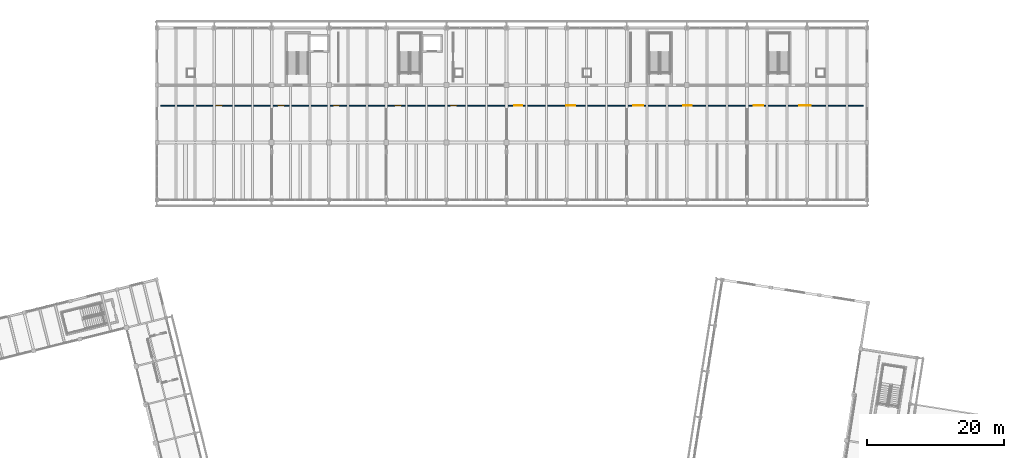
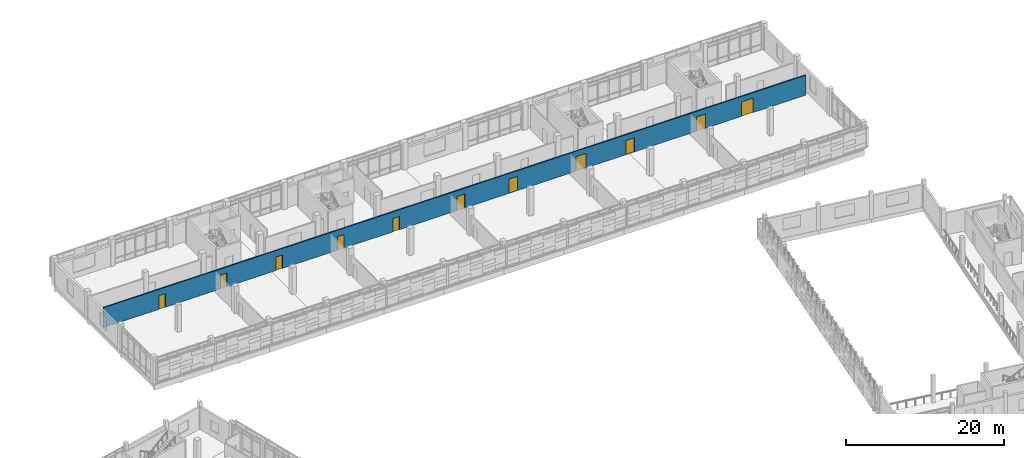
# One storey, part 112 of 137: 11 doors, 1 wall, 11 openings.
"""IFC4 building model written with IfcOpenShell, lengths in metres."""

from ifc_helpers import new_model, si_unit, direction, frame, frame_2d, origin, place, context, subcontext, project, spatial, rectangle, extrude, material, layer, layer_set, type_object, element, fill, save


model = new_model("IFC4")

# Units and contexts
model_context = context("Model", 3, precision=1e-05, world=origin(), true_north=direction((0.0, 1.0)))
body_context = subcontext(model_context, "Body", "Model", "MODEL_VIEW")
ifc_project = project(units=[si_unit("LENGTHUNIT", "METRE"), si_unit("AREAUNIT", "SQUARE_METRE"), si_unit("VOLUMEUNIT", "CUBIC_METRE"), si_unit("PLANEANGLEUNIT", "RADIAN"), si_unit("MASSUNIT", "GRAM", prefix="KILO")], contexts=[model_context])

# Site, building, storey
site_placement = place(None, origin())
site = spatial("IfcSite", under=ifc_project, at=site_placement, CompositionType="ELEMENT")
building_placement = place(site_placement, origin())
building = spatial("IfcBuilding", under=site, at=building_placement, Name="Cinderway Yard Community Centre", CompositionType="ELEMENT")
storey_placement = place(building_placement, frame((0.0, 0.0, 4.800048828125)))
storey = spatial("IfcBuildingStorey", under=building, at=storey_placement, Name="L01", CompositionType="ELEMENT", Elevation=4.800048828125)

# Wall, openings, doors
ifc_material_1 = material(Name="Brick Masonry", Category="masonry")
ifc_layer = layer(ifc_material_1, 0.179931640625, Name="Brick Masonry")
ifc_layer_set = layer_set([ifc_layer], Name="Brick Masonry")
wall_type = type_object("IfcWallType", Name="INT-WAL-PRT180", PredefinedType="PARTITIONING", material=ifc_layer_set)
wall_placement = place(storey_placement, frame((42.14990234375, 103.800048828125, 0.0), z_axis=(0.0, 0.0, 1.0), x_axis=(1.0, 0.0, 0.0)))
wall = element("IfcWall", 1, at=wall_placement, inside=storey, type_object=wall_type, Name="V4 L01 South Corridor Spine INT-PRT-L01-0291", PredefinedType="PARTITIONING", context=body_context, shape_type="SweptSolid", body=[
    extrude(rectangle(XDim=102.900146484375, YDim=0.179931640625, at=frame_2d((51.4501953125, 0.0))), origin(), (0.0, 0.0, 1.0), 3.093994140625),
])
opening_1_placement = place(wall_placement, frame((8.0849609375, 0.0, 0.0)))
opening_1 = element("IfcOpeningElement", 2, at=opening_1_placement, cuts=wall, Name="Opening D-06", PredefinedType="OPENING", context=body_context, shape_type="SweptSolid", body=[
    extrude(rectangle(XDim=0.97998046875, YDim=2.1201171875, at=frame_2d((0.489990234375, 1.06005859375))), frame((0.0, 0.099853515625, 0.0), z_axis=(0.0, -1.0, 0.0), x_axis=(1.0, 0.0, 0.0)), (0.0, 0.0, 1.0), 0.199951171875),
])
opening_2_placement = place(wall_placement, frame((17.125, 0.0, 0.0)))
opening_2 = element("IfcOpeningElement", 3, at=opening_2_placement, cuts=wall, Name="Opening D-07", PredefinedType="OPENING", context=body_context, shape_type="SweptSolid", body=[
    extrude(rectangle(XDim=0.949951171875, YDim=2.1201171875, at=frame_2d((0.47509765625, 1.06005859375))), frame((0.0, 0.099853515625, 0.0), z_axis=(0.0, -1.0, 0.0), x_axis=(1.0, 0.0, 0.0)), (0.0, 0.0, 1.0), 0.199951171875),
])
opening_3_placement = place(wall_placement, frame((25.264892578125, 0.0, 0.0)))
opening_3 = element("IfcOpeningElement", 4, at=opening_3_placement, cuts=wall, Name="Opening D-08", PredefinedType="OPENING", context=body_context, shape_type="SweptSolid", body=[
    extrude(rectangle(XDim=0.919921875, YDim=2.10009765625, at=frame_2d((0.4599609375, 1.050048828125))), frame((0.0, 0.099853515625, 0.0), z_axis=(0.0, -1.0, 0.0), x_axis=(1.0, 0.0, 0.0)), (0.0, 0.0, 1.0), 0.199951171875),
])
opening_4_placement = place(wall_placement, frame((34.27001953125, 0.0, 0.0)))
opening_4 = element("IfcOpeningElement", 5, at=opening_4_placement, cuts=wall, Name="Opening D-09", PredefinedType="OPENING", context=body_context, shape_type="SweptSolid", body=[
    extrude(rectangle(XDim=0.9599609375, YDim=2.080078125, at=frame_2d((0.47998046875, 1.0400390625))), frame((0.0, 0.099853515625, 0.0), z_axis=(0.0, -1.0, 0.0), x_axis=(1.0, 0.0, 0.0)), (0.0, 0.0, 1.0), 0.199951171875),
])
opening_5_placement = place(wall_placement, frame((42.425048828125, 0.0, 0.0)))
opening_5 = element("IfcOpeningElement", 6, at=opening_5_placement, cuts=wall, Name="Opening D-10", PredefinedType="OPENING", context=body_context, shape_type="SweptSolid", body=[
    extrude(rectangle(XDim=0.89990234375, YDim=2.06005859375, at=frame_2d((0.449951171875, 1.030029296875))), frame((0.0, 0.099853515625, 0.0), z_axis=(0.0, -1.0, 0.0), x_axis=(1.0, 0.0, 0.0)), (0.0, 0.0, 1.0), 0.199951171875),
])
opening_6_placement = place(wall_placement, frame((51.760009765625, 0.0, 0.0)))
opening_6 = element("IfcOpeningElement", 7, at=opening_6_placement, cuts=wall, Name="Opening D-11", PredefinedType="OPENING", context=body_context, shape_type="SweptSolid", body=[
    extrude(rectangle(XDim=1.179931640625, YDim=2.179931640625, at=frame_2d((0.58984375, 1.08984375))), frame((0.0, 0.099853515625, 0.0), z_axis=(0.0, -1.0, 0.0), x_axis=(1.0, 0.0, 0.0)), (0.0, 0.0, 1.0), 0.199951171875),
])
opening_7_placement = place(wall_placement, frame((59.375, 0.0, 0.0)))
opening_7 = element("IfcOpeningElement", 8, at=opening_7_placement, cuts=wall, Name="Opening D-12", PredefinedType="OPENING", context=body_context, shape_type="SweptSolid", body=[
    extrude(rectangle(XDim=1.300048828125, YDim=2.199951171875, at=frame_2d((0.64990234375, 1.10009765625))), frame((0.0, 0.099853515625, 0.0), z_axis=(0.0, -1.0, 0.0), x_axis=(1.0, 0.0, 0.0)), (0.0, 0.0, 1.0), 0.199951171875),
])
opening_8_placement = place(wall_placement, frame((69.199951171875, 0.0, 0.0)))
opening_8 = element("IfcOpeningElement", 9, at=opening_8_placement, cuts=wall, Name="Opening D-13", PredefinedType="OPENING", context=body_context, shape_type="SweptSolid", body=[
    extrude(rectangle(XDim=1.5, YDim=2.25, at=frame_2d((0.75, 1.125))), frame((0.0, 0.099853515625, 0.0), z_axis=(0.0, -1.0, 0.0), x_axis=(1.0, 0.0, 0.0)), (0.0, 0.0, 1.0), 0.199951171875),
])
opening_9_placement = place(wall_placement, frame((76.554931640625, 0.0, 0.0)))
opening_9 = element("IfcOpeningElement", 10, at=opening_9_placement, cuts=wall, Name="Opening D-14", PredefinedType="OPENING", context=body_context, shape_type="SweptSolid", body=[
    extrude(rectangle(XDim=1.239990234375, YDim=2.199951171875, at=frame_2d((0.6201171875, 1.10009765625))), frame((0.0, 0.099853515625, 0.0), z_axis=(0.0, -1.0, 0.0), x_axis=(1.0, 0.0, 0.0)), (0.0, 0.0, 1.0), 0.199951171875),
])
opening_10_placement = place(wall_placement, frame((86.8701171875, 0.0, 0.0)))
opening_10 = element("IfcOpeningElement", 11, at=opening_10_placement, cuts=wall, Name="Opening D-15", PredefinedType="OPENING", context=body_context, shape_type="SweptSolid", body=[
    extrude(rectangle(XDim=1.360107421875, YDim=2.219970703125, at=frame_2d((0.68017578125, 1.10986328125))), frame((0.0, 0.099853515625, 0.0), z_axis=(0.0, -1.0, 0.0), x_axis=(1.0, 0.0, 0.0)), (0.0, 0.0, 1.0), 0.199951171875),
])
opening_11_placement = place(wall_placement, frame((93.485107421875, 0.0, 0.0)))
opening_11 = element("IfcOpeningElement", 12, at=opening_11_placement, cuts=wall, Name="Opening D-16", PredefinedType="OPENING", context=body_context, shape_type="SweptSolid", body=[
    extrude(rectangle(XDim=1.679931640625, YDim=2.260009765625, at=frame_2d((0.83984375, 1.1298828125))), frame((0.0, 0.099853515625, 0.0), z_axis=(0.0, -1.0, 0.0), x_axis=(1.0, 0.0, 0.0)), (0.0, 0.0, 1.0), 0.199951171875),
])
ifc_material_2 = material(Name="Hardwood Timber", Category="wood")
door_type_1 = type_object("IfcDoorType", Name="INT-DOR-LIB168", OperationType="DOUBLE_DOOR_SINGLE_SWING", PredefinedType="DOOR", material=ifc_material_2)
door_1_placement = place(opening_11_placement, origin())
door_1 = element("IfcDoor", 13, at=door_1_placement, inside=storey, type_object=door_type_1, Name="Room door INT-DOR-L01-0179", OperationType="DOUBLE_DOOR_SINGLE_SWING", OverallHeight=2.260009765625, OverallWidth=1.679931640625, PredefinedType="DOOR", context=body_context, shape_type="SweptSolid", body=[
    extrude(rectangle(XDim=1.679931640625, YDim=2.260009765625, at=frame_2d((0.83984375, 1.1298828125))), frame((0.0, 0.02490234375, 0.0), z_axis=(0.0, -1.0, 0.0), x_axis=(1.0, 0.0, 0.0)), (0.0, 0.0, 1.0), 0.050048828125),
])
fill(opening_11, door_1)
door_type_2 = type_object("IfcDoorType", Name="INT-DOR-OFF092", OperationType="NOTDEFINED", PredefinedType="DOOR", material=ifc_material_2)
door_2_placement = place(opening_3_placement, origin())
door_2 = element("IfcDoor", 14, at=door_2_placement, inside=storey, type_object=door_type_2, Name="Room door INT-DOR-L01-0171", OperationType="SINGLE_SWING_RIGHT", OverallHeight=2.10009765625, OverallWidth=0.919921875, PredefinedType="DOOR", context=body_context, shape_type="SweptSolid", body=[
    extrude(rectangle(XDim=0.919921875, YDim=2.10009765625, at=frame_2d((0.4599609375, 1.050048828125))), frame((0.0, 0.02490234375, 0.0), z_axis=(0.0, -1.0, 0.0), x_axis=(1.0, 0.0, 0.0)), (0.0, 0.0, 1.0), 0.050048828125),
])
fill(opening_3, door_2)
door_type_3 = type_object("IfcDoorType", Name="INT-DOR-OFF095", OperationType="NOTDEFINED", PredefinedType="DOOR", material=ifc_material_2)
door_3_placement = place(opening_2_placement, origin())
door_3 = element("IfcDoor", 15, at=door_3_placement, inside=storey, type_object=door_type_3, Name="Room door INT-DOR-L01-0170", OperationType="SINGLE_SWING_LEFT", OverallHeight=2.1201171875, OverallWidth=0.949951171875, PredefinedType="DOOR", context=body_context, shape_type="SweptSolid", body=[
    extrude(rectangle(XDim=0.949951171875, YDim=2.1201171875, at=frame_2d((0.47509765625, 1.06005859375))), frame((0.0, 0.02490234375, 0.0), z_axis=(0.0, -1.0, 0.0), x_axis=(1.0, 0.0, 0.0)), (0.0, 0.0, 1.0), 0.050048828125),
])
fill(opening_2, door_3)
door_type_4 = type_object("IfcDoorType", Name="INT-DOR-OFF098", OperationType="NOTDEFINED", PredefinedType="DOOR", material=ifc_material_2)
door_4_placement = place(opening_1_placement, origin())
door_4 = element("IfcDoor", 16, at=door_4_placement, inside=storey, type_object=door_type_4, Name="Room door INT-DOR-L01-0169", OperationType="SINGLE_SWING_RIGHT", OverallHeight=2.1201171875, OverallWidth=0.97998046875, PredefinedType="DOOR", context=body_context, shape_type="SweptSolid", body=[
    extrude(rectangle(XDim=0.97998046875, YDim=2.1201171875, at=frame_2d((0.489990234375, 1.06005859375))), frame((0.0, 0.02490234375, 0.0), z_axis=(0.0, -1.0, 0.0), x_axis=(1.0, 0.0, 0.0)), (0.0, 0.0, 1.0), 0.050048828125),
])
fill(opening_1, door_4)
ifc_material_3 = material(Name="Painted Galvanised Steel", Category="steel")
door_type_5 = type_object("IfcDoorType", Name="INT-DOR-PLT130", OperationType="NOTDEFINED", PredefinedType="DOOR", material=ifc_material_3)
door_5_placement = place(opening_7_placement, origin())
door_5 = element("IfcDoor", 17, at=door_5_placement, inside=storey, type_object=door_type_5, Name="Room door INT-DOR-L01-0175", OperationType="SINGLE_SWING_RIGHT", OverallHeight=2.199951171875, OverallWidth=1.300048828125, PredefinedType="DOOR", context=body_context, shape_type="SweptSolid", body=[
    extrude(rectangle(XDim=1.300048828125, YDim=2.199951171875, at=frame_2d((0.64990234375, 1.10009765625))), frame((0.0, 0.02490234375, 0.0), z_axis=(0.0, -1.0, 0.0), x_axis=(1.0, 0.0, 0.0)), (0.0, 0.0, 1.0), 0.050048828125),
])
fill(opening_7, door_5)
door_type_6 = type_object("IfcDoorType", Name="INT-DOR-PLT150", OperationType="DOUBLE_DOOR_SINGLE_SWING", PredefinedType="DOOR", material=ifc_material_3)
door_6_placement = place(opening_8_placement, origin())
door_6 = element("IfcDoor", 18, at=door_6_placement, inside=storey, type_object=door_type_6, Name="Room door INT-DOR-L01-0176", OperationType="DOUBLE_DOOR_SINGLE_SWING", OverallHeight=2.25, OverallWidth=1.5, PredefinedType="DOOR", context=body_context, shape_type="SweptSolid", body=[
    extrude(rectangle(XDim=1.5, YDim=2.25, at=frame_2d((0.75, 1.125))), frame((0.0, 0.02490234375, 0.0), z_axis=(0.0, -1.0, 0.0), x_axis=(1.0, 0.0, 0.0)), (0.0, 0.0, 1.0), 0.050048828125),
])
fill(opening_8, door_6)
door_type_7 = type_object("IfcDoorType", Name="INT-DOR-SAN090", OperationType="NOTDEFINED", PredefinedType="DOOR", material=ifc_material_2)
door_7_placement = place(opening_5_placement, origin())
door_7 = element("IfcDoor", 19, at=door_7_placement, inside=storey, type_object=door_type_7, Name="Room door INT-DOR-L01-0173", OperationType="SINGLE_SWING_RIGHT", OverallHeight=2.06005859375, OverallWidth=0.89990234375, PredefinedType="DOOR", context=body_context, shape_type="SweptSolid", body=[
    extrude(rectangle(XDim=0.89990234375, YDim=2.06005859375, at=frame_2d((0.449951171875, 1.030029296875))), frame((0.0, 0.02490234375, 0.0), z_axis=(0.0, -1.0, 0.0), x_axis=(1.0, 0.0, 0.0)), (0.0, 0.0, 1.0), 0.050048828125),
])
fill(opening_5, door_7)
door_type_8 = type_object("IfcDoorType", Name="INT-DOR-SAN096", OperationType="NOTDEFINED", PredefinedType="DOOR", material=ifc_material_2)
door_8_placement = place(opening_4_placement, origin())
door_8 = element("IfcDoor", 20, at=door_8_placement, inside=storey, type_object=door_type_8, Name="Room door INT-DOR-L01-0172", OperationType="SINGLE_SWING_LEFT", OverallHeight=2.080078125, OverallWidth=0.9599609375, PredefinedType="DOOR", context=body_context, shape_type="SweptSolid", body=[
    extrude(rectangle(XDim=0.9599609375, YDim=2.080078125, at=frame_2d((0.47998046875, 1.0400390625))), frame((0.0, 0.02490234375, 0.0), z_axis=(0.0, -1.0, 0.0), x_axis=(1.0, 0.0, 0.0)), (0.0, 0.0, 1.0), 0.050048828125),
])
fill(opening_4, door_8)
door_type_9 = type_object("IfcDoorType", Name="INT-DOR-STR118", OperationType="NOTDEFINED", PredefinedType="DOOR", material=ifc_material_3)
door_9_placement = place(opening_6_placement, origin())
door_9 = element("IfcDoor", 21, at=door_9_placement, inside=storey, type_object=door_type_9, Name="Room door INT-DOR-L01-0174", OperationType="SINGLE_SWING_LEFT", OverallHeight=2.179931640625, OverallWidth=1.179931640625, PredefinedType="DOOR", context=body_context, shape_type="SweptSolid", body=[
    extrude(rectangle(XDim=1.179931640625, YDim=2.179931640625, at=frame_2d((0.58984375, 1.08984375))), frame((0.0, 0.02490234375, 0.0), z_axis=(0.0, -1.0, 0.0), x_axis=(1.0, 0.0, 0.0)), (0.0, 0.0, 1.0), 0.050048828125),
])
fill(opening_6, door_9)
door_type_10 = type_object("IfcDoorType", Name="INT-DOR-STU124", OperationType="NOTDEFINED", PredefinedType="DOOR", material=ifc_material_2)
door_10_placement = place(opening_9_placement, origin())
door_10 = element("IfcDoor", 22, at=door_10_placement, inside=storey, type_object=door_type_10, Name="Room door INT-DOR-L01-0177", OperationType="SINGLE_SWING_LEFT", OverallHeight=2.199951171875, OverallWidth=1.239990234375, PredefinedType="DOOR", context=body_context, shape_type="SweptSolid", body=[
    extrude(rectangle(XDim=1.239990234375, YDim=2.199951171875, at=frame_2d((0.6201171875, 1.10009765625))), frame((0.0, 0.02490234375, 0.0), z_axis=(0.0, -1.0, 0.0), x_axis=(1.0, 0.0, 0.0)), (0.0, 0.0, 1.0), 0.050048828125),
])
fill(opening_9, door_10)
door_type_11 = type_object("IfcDoorType", Name="INT-DOR-STU136", OperationType="DOUBLE_DOOR_SINGLE_SWING", PredefinedType="DOOR", material=ifc_material_2)
door_11_placement = place(opening_10_placement, origin())
door_11 = element("IfcDoor", 23, at=door_11_placement, inside=storey, type_object=door_type_11, Name="Room door INT-DOR-L01-0178", OperationType="DOUBLE_DOOR_SINGLE_SWING", OverallHeight=2.219970703125, OverallWidth=1.360107421875, PredefinedType="DOOR", context=body_context, shape_type="SweptSolid", body=[
    extrude(rectangle(XDim=1.360107421875, YDim=2.219970703125, at=frame_2d((0.68017578125, 1.10986328125))), frame((0.0, 0.02490234375, 0.0), z_axis=(0.0, -1.0, 0.0), x_axis=(1.0, 0.0, 0.0)), (0.0, 0.0, 1.0), 0.050048828125),
])
fill(opening_10, door_11)

save(model, "model.ifc")
